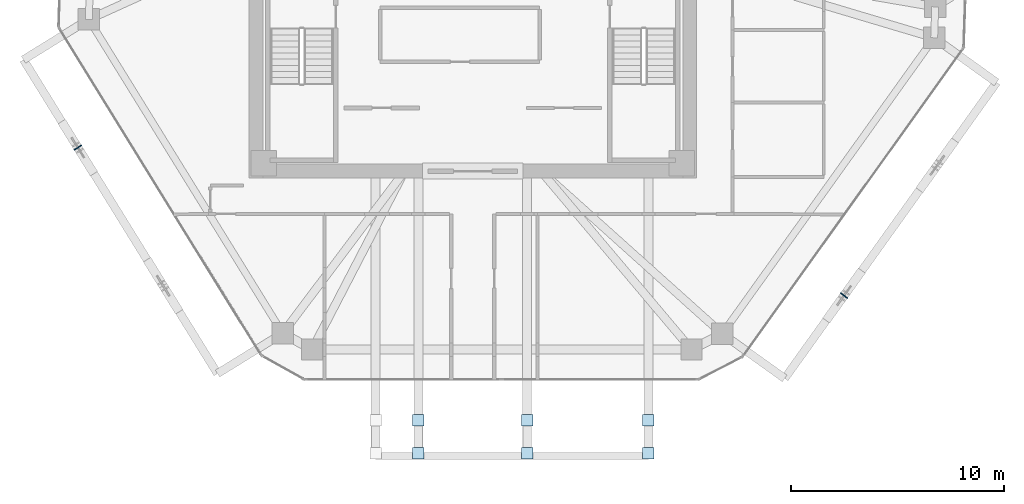
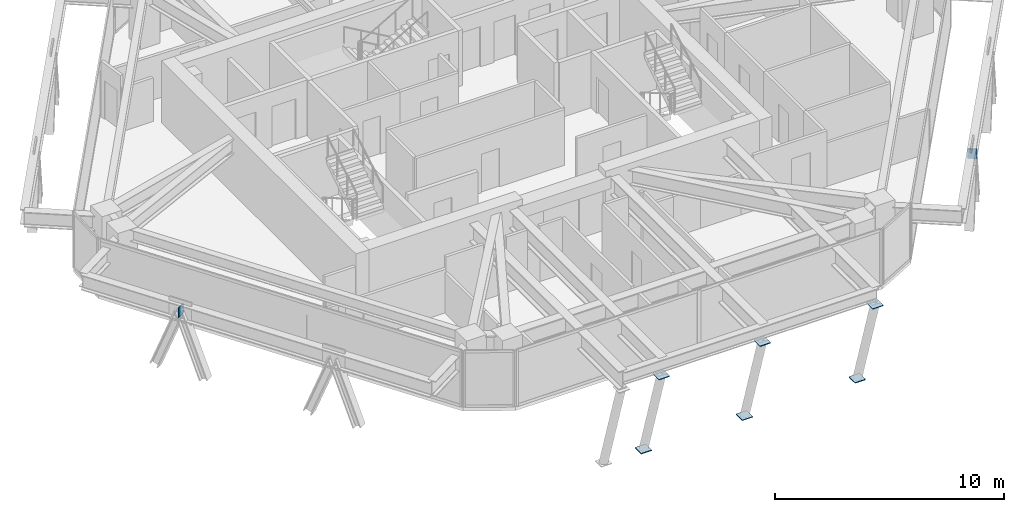
# One storey, part 8 of 14: 8 plates.
"""IFC4 building model written with IfcOpenShell, lengths in metres."""

from ifc_helpers import new_model, si_unit, direction, frame, origin, origin_2d, place, context, subcontext, project, spatial, rectangle, extrude, source, transform, mapped, material, layer, layer_set, type_object, type_shapes, element, save


model = new_model("IFC4")

# Units and contexts
model_context = context("Model", 3, precision=1e-05, world=origin(), true_north=direction((0.0, 1.0)))
body_context = subcontext(model_context, "Body", "Model", "MODEL_VIEW")
ifc_project = project(units=[si_unit("LENGTHUNIT", "METRE"), si_unit("AREAUNIT", "SQUARE_METRE"), si_unit("VOLUMEUNIT", "CUBIC_METRE"), si_unit("PLANEANGLEUNIT", "RADIAN"), si_unit("MASSUNIT", "GRAM", prefix="KILO")], contexts=[model_context])

# Site, building, storey
site_placement = place(None, origin())
site = spatial("IfcSite", under=ifc_project, at=site_placement, CompositionType="ELEMENT")
building_placement = place(site_placement, origin())
building = spatial("IfcBuilding", under=site, at=building_placement, Name="Durnholm Broadcast Tower", CompositionType="ELEMENT")
storey_placement = place(building_placement, frame((0.0, 0.0, 159.300048828125)))
storey = spatial("IfcBuildingStorey", under=building, at=storey_placement, Name="L43", CompositionType="ELEMENT", Elevation=159.300048828125)

# Plates
ifc_material = material(Name="Steel ASTM A572 Grade 50", Category="steel")
ifc_layer_1 = layer(ifc_material, 0.0400390625)
ifc_layer_set_1 = layer_set([ifc_layer_1], Name="Steel ASTM A572 Grade 50")
plate_type_1 = type_object("IfcPlateType", Name="PLT-KN-CAP", PredefinedType="USERDEFINED", material=ifc_layer_set_1)
shared_shape_1 = source(origin(), body_context, "Body", "SweptSolid", [
    extrude(rectangle(XDim=0.5400390625, YDim=0.5400390625, at=origin_2d()), origin(), (0.0, 0.0, 1.0), 0.0400390625),
])
type_shapes(plate_type_1, [shared_shape_1])
for number, where, z_axis, x_axis, name in (
    (1, (-2.550048828125, -19.85205078125, -3.027099609375), (0.0, 0.0, 1.0), (0.0, -1.0, 0.0), "L43 hollow section end cap plate STR-POOL-SUP-2 1"),
    (2, (-2.550048828125, -21.402099609375, 1.859130859375), (0.0, 0.0, 1.0), (0.0, -1.0, 0.0), "L43 hollow section end cap plate STR-POOL-SUP-2 2"),
    (3, (2.550048828125, -19.85205078125, -3.027099609375), (0.0, 0.0, 1.0), (0.0, -1.0, 0.0), "L43 hollow section end cap plate STR-POOL-SUP-3 1"),
    (4, (2.550048828125, -21.402099609375, 1.859130859375), (0.0, 0.0, 1.0), (0.0, -1.0, 0.0), "L43 hollow section end cap plate STR-POOL-SUP-3 2"),
    (5, (8.239013671875, -19.85205078125, -3.027099609375), (0.0, 0.0, 1.0), (0.0, -1.0, 0.0), "L43 hollow section end cap plate STR-POOL-SUP-4 1"),
    (6, (8.239013671875, -21.402099609375, 1.859130859375), (0.0, 0.0, 1.0), (0.0, -1.0, 0.0), "L43 hollow section end cap plate STR-POOL-SUP-4 2"),
):
    element("IfcPlate", number, at=place(storey_placement, frame(where, z_axis=z_axis, x_axis=x_axis)), inside=storey, type_object=plate_type_1, Name=name, ObjectType="CAP_PLATE", PredefinedType="USERDEFINED", context=body_context, shape_type="MappedRepresentation", body=[
        mapped(shared_shape_1, transform((0.0, 0.0, 0.0), x_axis=(1.0, 0.0, 0.0), y_axis=(0.0, 1.0, 0.0), z_axis=(0.0, 0.0, 1.0), scale=1.0)),
    ])
ifc_layer_2 = layer(ifc_material, 0.044921875)
ifc_layer_set_2 = layer_set([ifc_layer_2], Name="Steel ASTM A572 Grade 50")
plate_type_2 = type_object("IfcPlateType", Name="PLT-KN-STIF", PredefinedType="SHEET", material=ifc_layer_set_2)
shared_shape_2 = source(origin(), body_context, "Body", "SweptSolid", [
    extrude(rectangle(XDim=0.044921875, YDim=0.419921875, at=origin_2d()), origin(), (0.0, 0.0, 1.0), 0.52001953125),
])
type_shapes(plate_type_2, [shared_shape_2])
for number, where, z_axis, x_axis, name in (
    (7, (17.40966796875, -14.009521484375, 1.968505859375), (0.0, 0.0, 1.0), (0.582122970157, 0.813100761047, 0.0), "L43 welded diagrid node stiffener plate F2"),
    (8, (-18.5244140625, -7.07080078125, 1.968505859375), (0.0, 0.0, 1.0), (0.525768608156, -0.850627633385, 0.0), "L43 welded diagrid node stiffener plate F6"),
):
    element("IfcPlate", number, at=place(storey_placement, frame(where, z_axis=z_axis, x_axis=x_axis)), inside=storey, type_object=plate_type_2, Name=name, PredefinedType="SHEET", context=body_context, shape_type="MappedRepresentation", body=[
        mapped(shared_shape_2, transform((0.0, 0.0, 0.0), x_axis=(1.0, 0.0, 0.0), y_axis=(0.0, 1.0, 0.0), z_axis=(0.0, 0.0, 1.0), scale=1.0)),
    ])

save(model, "model.ifc")
